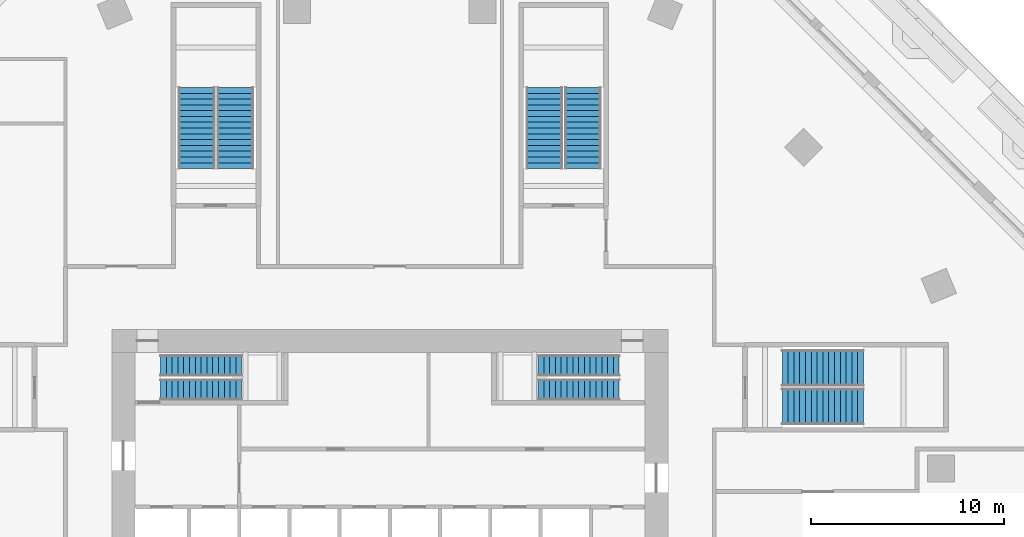
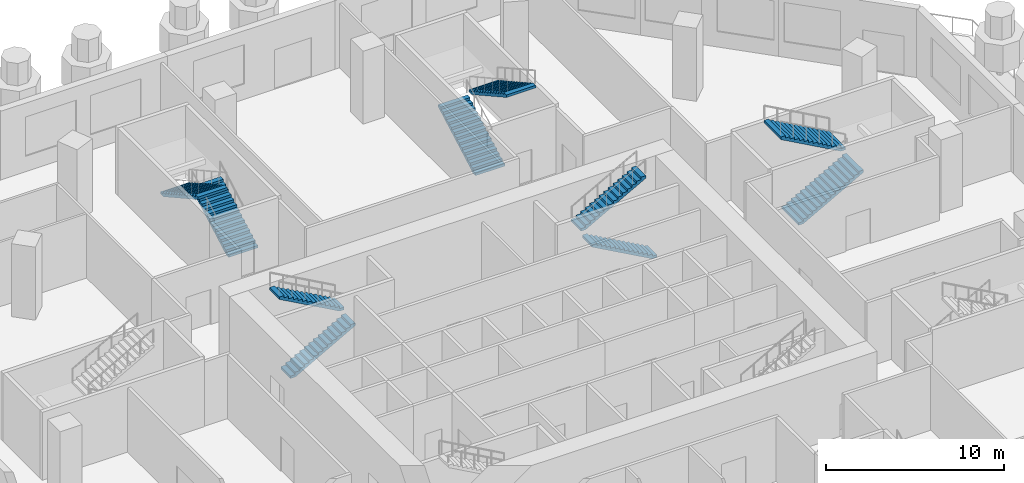
# One storey, part 10 of 13: 10 stair flights, 5 elements without a shape of their own.
"""IFC4 building model written with IfcOpenShell, lengths in metres."""

from ifc_helpers import new_model, si_unit, direction, frame, origin, place, context, subcontext, project, spatial, polyline, outline, extrude, material, type_object, element, aggregate, save


model = new_model("IFC4")

# Units and contexts
model_context = context("Model", 3, precision=1e-05, world=origin(), true_north=direction((0.0, 1.0)))
body_context = subcontext(model_context, "Body", "Model", "MODEL_VIEW")
ifc_project = project(units=[si_unit("LENGTHUNIT", "METRE"), si_unit("AREAUNIT", "SQUARE_METRE"), si_unit("VOLUMEUNIT", "CUBIC_METRE"), si_unit("PLANEANGLEUNIT", "RADIAN"), si_unit("MASSUNIT", "GRAM", prefix="KILO")], contexts=[model_context])

# Site, building, storey
site_placement = place(None, origin())
site = spatial("IfcSite", under=ifc_project, at=site_placement, CompositionType="ELEMENT")
building_placement = place(site_placement, origin())
building = spatial("IfcBuilding", under=site, at=building_placement, Name="Msitu Wima Residences", CompositionType="ELEMENT")
storey_placement = place(building_placement, frame((0.0, 0.0, 16.0)))
storey = spatial("IfcBuildingStorey", under=building, at=storey_placement, Name="L03", CompositionType="ELEMENT", Elevation=16.0)

# Stair, stair flights
ifc_material = material(Name="Concrete C40/50", Category="concrete")
stair_type_1 = type_object("IfcStairType", Name="Exit stair ES1667-110", PredefinedType="HALF_TURN_STAIR", material=ifc_material)
stair_1_placement = place(storey_placement, origin())
stair_1 = element("IfcStair", 1, at=stair_1_placement, inside=storey, type_object=stair_type_1, Name="Exit stair 1", PredefinedType="HALF_TURN_STAIR")
stair_flight_type_1 = type_object("IfcStairFlightType", Name="Exit stair flight ES1667-110", PredefinedType="STRAIGHT", material=ifc_material)
stair_flight_1_placement = place(storey_placement, frame((-11.875, 8.875, 0.0), z_axis=(0.0, 0.0, 1.0), x_axis=(1.0, 0.0, 0.0)))
stair_flight_1 = element("IfcStairFlight", 2, at=stair_flight_1_placement, type_object=stair_flight_type_1, Name="S1 flight 1", NumberOfRisers=15, NumberOfTreads=14, PredefinedType="STRAIGHT", RiserHeight=0.166666667, TreadLength=0.3, context=body_context, shape_type="SweptSolid", body=[
    extrude(outline(polyline([(0.0, 0.0), (0.0, 0.166748046875), (0.300048828125, 0.166748046875), (0.300048828125, 0.333251953125), (0.60009765625, 0.333251953125), (0.60009765625, 0.5), (0.89990234375, 0.5), (0.89990234375, 0.666748046875), (1.199951171875, 0.666748046875), (1.199951171875, 0.833251953125), (1.5, 0.833251953125), (1.5, 1.0), (1.800048828125, 1.0), (1.800048828125, 1.166748046875), (2.10009765625, 1.166748046875), (2.10009765625, 1.333251953125), (2.39990234375, 1.333251953125), (2.39990234375, 1.5), (2.699951171875, 1.5), (2.699951171875, 1.666748046875), (3.0, 1.666748046875), (3.0, 1.833251953125), (3.300048828125, 1.833251953125), (3.300048828125, 2.0), (3.60009765625, 2.0), (3.60009765625, 2.166748046875), (3.89990234375, 2.166748046875), (3.89990234375, 2.333251953125), (4.199951171875, 2.333251953125), (4.199951171875, 2.5), (4.199951171875, 2.161865234375), (0.30859375, 0.0), (0.0, 0.0)])), frame((0.0, 0.550048828125, 0.0), z_axis=(0.0, -1.0, 0.0), x_axis=(1.0, 0.0, 0.0)), (0.0, 0.0, 1.0), 1.10009765625),
])
stair_flight_2_placement = place(storey_placement, frame((-7.675048828125, 10.125, 2.5), z_axis=(0.0, 0.0, 1.0), x_axis=(-1.0, 0.0, 0.0)))
stair_flight_2 = element("IfcStairFlight", 3, at=stair_flight_2_placement, type_object=stair_flight_type_1, Name="S1 flight 2", NumberOfRisers=15, NumberOfTreads=14, PredefinedType="STRAIGHT", RiserHeight=0.166666667, TreadLength=0.3, context=body_context, shape_type="SweptSolid", body=[
    extrude(outline(polyline([(0.0, 0.0), (0.0, 0.166748046875), (0.300048828125, 0.166748046875), (0.300048828125, 0.333251953125), (0.60009765625, 0.333251953125), (0.60009765625, 0.5), (0.89990234375, 0.5), (0.89990234375, 0.666748046875), (1.199951171875, 0.666748046875), (1.199951171875, 0.833251953125), (1.5, 0.833251953125), (1.5, 1.0), (1.800048828125, 1.0), (1.800048828125, 1.166748046875), (2.10009765625, 1.166748046875), (2.10009765625, 1.333251953125), (2.39990234375, 1.333251953125), (2.39990234375, 1.5), (2.699951171875, 1.5), (2.699951171875, 1.666748046875), (3.0, 1.666748046875), (3.0, 1.833251953125), (3.300048828125, 1.833251953125), (3.300048828125, 2.0), (3.60009765625, 2.0), (3.60009765625, 2.166748046875), (3.89990234375, 2.166748046875), (3.89990234375, 2.333251953125), (4.199951171875, 2.333251953125), (4.199951171875, 2.5), (4.199951171875, 2.161865234375), (0.30859375, 0.0), (0.0, 0.0)])), frame((0.0, 0.550048828125, 0.0), z_axis=(0.0, -1.0, 0.0), x_axis=(1.0, 0.0, 0.0)), (0.0, 0.0, 1.0), 1.10009765625),
])
aggregate(stair_1, [stair_flight_1, stair_flight_2])

stair_2_placement = place(storey_placement, origin())
stair_2 = element("IfcStair", 4, at=stair_2_placement, inside=storey, type_object=stair_type_1, Name="Exit stair 3", PredefinedType="HALF_TURN_STAIR")
stair_flight_3_placement = place(storey_placement, frame((11.875, 8.875, 0.0), z_axis=(0.0, 0.0, 1.0), x_axis=(-1.0, 0.0, 0.0)))
stair_flight_3 = element("IfcStairFlight", 5, at=stair_flight_3_placement, type_object=stair_flight_type_1, Name="S3 flight 1", NumberOfRisers=15, NumberOfTreads=14, PredefinedType="STRAIGHT", RiserHeight=0.166666667, TreadLength=0.3, context=body_context, shape_type="SweptSolid", body=[
    extrude(outline(polyline([(0.0, 0.0), (0.0, 0.166748046875), (0.300048828125, 0.166748046875), (0.300048828125, 0.333251953125), (0.60009765625, 0.333251953125), (0.60009765625, 0.5), (0.89990234375, 0.5), (0.89990234375, 0.666748046875), (1.199951171875, 0.666748046875), (1.199951171875, 0.833251953125), (1.5, 0.833251953125), (1.5, 1.0), (1.800048828125, 1.0), (1.800048828125, 1.166748046875), (2.10009765625, 1.166748046875), (2.10009765625, 1.333251953125), (2.39990234375, 1.333251953125), (2.39990234375, 1.5), (2.699951171875, 1.5), (2.699951171875, 1.666748046875), (3.0, 1.666748046875), (3.0, 1.833251953125), (3.300048828125, 1.833251953125), (3.300048828125, 2.0), (3.60009765625, 2.0), (3.60009765625, 2.166748046875), (3.89990234375, 2.166748046875), (3.89990234375, 2.333251953125), (4.199951171875, 2.333251953125), (4.199951171875, 2.5), (4.199951171875, 2.161865234375), (0.30859375, 0.0), (0.0, 0.0)])), frame((0.0, 0.550048828125, 0.0), z_axis=(0.0, -1.0, 0.0), x_axis=(1.0, 0.0, 0.0)), (0.0, 0.0, 1.0), 1.10009765625),
])
stair_flight_4_placement = place(storey_placement, frame((7.675048828125, 10.125, 2.5), z_axis=(0.0, 0.0, 1.0), x_axis=(1.0, 0.0, 0.0)))
stair_flight_4 = element("IfcStairFlight", 6, at=stair_flight_4_placement, type_object=stair_flight_type_1, Name="S3 flight 2", NumberOfRisers=15, NumberOfTreads=14, PredefinedType="STRAIGHT", RiserHeight=0.166666667, TreadLength=0.3, context=body_context, shape_type="SweptSolid", body=[
    extrude(outline(polyline([(0.0, 0.0), (0.0, 0.166748046875), (0.300048828125, 0.166748046875), (0.300048828125, 0.333251953125), (0.60009765625, 0.333251953125), (0.60009765625, 0.5), (0.89990234375, 0.5), (0.89990234375, 0.666748046875), (1.199951171875, 0.666748046875), (1.199951171875, 0.833251953125), (1.5, 0.833251953125), (1.5, 1.0), (1.800048828125, 1.0), (1.800048828125, 1.166748046875), (2.10009765625, 1.166748046875), (2.10009765625, 1.333251953125), (2.39990234375, 1.333251953125), (2.39990234375, 1.5), (2.699951171875, 1.5), (2.699951171875, 1.666748046875), (3.0, 1.666748046875), (3.0, 1.833251953125), (3.300048828125, 1.833251953125), (3.300048828125, 2.0), (3.60009765625, 2.0), (3.60009765625, 2.166748046875), (3.89990234375, 2.166748046875), (3.89990234375, 2.333251953125), (4.199951171875, 2.333251953125), (4.199951171875, 2.5), (4.199951171875, 2.161865234375), (0.30859375, 0.0), (0.0, 0.0)])), frame((0.0, 0.550048828125, 0.0), z_axis=(0.0, -1.0, 0.0), x_axis=(1.0, 0.0, 0.0)), (0.0, 0.0, 1.0), 1.10009765625),
])
aggregate(stair_2, [stair_flight_3, stair_flight_4])

stair_type_2 = type_object("IfcStairType", Name="Podium exit stair PX1667-190", PredefinedType="HALF_TURN_STAIR", material=ifc_material)
stair_3_placement = place(storey_placement, origin())
stair_3 = element("IfcStair", 7, at=stair_3_placement, inside=storey, type_object=stair_type_2, Name="Podium exit stair 1", PredefinedType="HALF_TURN_STAIR")
stair_flight_type_2 = type_object("IfcStairFlightType", Name="Podium exit stair flight PX1667-190", PredefinedType="STRAIGHT", material=ifc_material)
stair_flight_5_placement = place(storey_placement, frame((20.324951171875, 8.0, 0.0), z_axis=(0.0, 0.0, 1.0), x_axis=(1.0, 0.0, 0.0)))
stair_flight_5 = element("IfcStairFlight", 8, at=stair_flight_5_placement, type_object=stair_flight_type_2, Name="PS1 flight 1", NumberOfRisers=15, NumberOfTreads=14, PredefinedType="STRAIGHT", RiserHeight=0.166666667, TreadLength=0.3, context=body_context, shape_type="SweptSolid", body=[
    extrude(outline(polyline([(0.0, 0.0), (0.0, 0.166748046875), (0.300048828125, 0.166748046875), (0.300048828125, 0.333251953125), (0.60009765625, 0.333251953125), (0.60009765625, 0.5), (0.89990234375, 0.5), (0.89990234375, 0.666748046875), (1.199951171875, 0.666748046875), (1.199951171875, 0.833251953125), (1.5, 0.833251953125), (1.5, 1.0), (1.800048828125, 1.0), (1.800048828125, 1.166748046875), (2.10009765625, 1.166748046875), (2.10009765625, 1.333251953125), (2.39990234375, 1.333251953125), (2.39990234375, 1.5), (2.699951171875, 1.5), (2.699951171875, 1.666748046875), (3.0, 1.666748046875), (3.0, 1.833251953125), (3.300048828125, 1.833251953125), (3.300048828125, 2.0), (3.60009765625, 2.0), (3.60009765625, 2.166748046875), (3.89990234375, 2.166748046875), (3.89990234375, 2.333251953125), (4.199951171875, 2.333251953125), (4.199951171875, 2.5), (4.199951171875, 2.161865234375), (0.30859375, 0.0), (0.0, 0.0)])), frame((0.0, 0.949951171875, 0.0), z_axis=(0.0, -1.0, 0.0), x_axis=(1.0, 0.0, 0.0)), (0.0, 0.0, 1.0), 1.89990234375),
])
stair_flight_6_placement = place(storey_placement, frame((24.52490234375, 10.0, 2.5), z_axis=(0.0, 0.0, 1.0), x_axis=(-1.0, 0.0, 0.0)))
stair_flight_6 = element("IfcStairFlight", 9, at=stair_flight_6_placement, type_object=stair_flight_type_2, Name="PS1 flight 2", NumberOfRisers=15, NumberOfTreads=14, PredefinedType="STRAIGHT", RiserHeight=0.166666667, TreadLength=0.3, context=body_context, shape_type="SweptSolid", body=[
    extrude(outline(polyline([(0.0, 0.0), (0.0, 0.166748046875), (0.300048828125, 0.166748046875), (0.300048828125, 0.333251953125), (0.60009765625, 0.333251953125), (0.60009765625, 0.5), (0.89990234375, 0.5), (0.89990234375, 0.666748046875), (1.199951171875, 0.666748046875), (1.199951171875, 0.833251953125), (1.5, 0.833251953125), (1.5, 1.0), (1.800048828125, 1.0), (1.800048828125, 1.166748046875), (2.10009765625, 1.166748046875), (2.10009765625, 1.333251953125), (2.39990234375, 1.333251953125), (2.39990234375, 1.5), (2.699951171875, 1.5), (2.699951171875, 1.666748046875), (3.0, 1.666748046875), (3.0, 1.833251953125), (3.300048828125, 1.833251953125), (3.300048828125, 2.0), (3.60009765625, 2.0), (3.60009765625, 2.166748046875), (3.89990234375, 2.166748046875), (3.89990234375, 2.333251953125), (4.199951171875, 2.333251953125), (4.199951171875, 2.5), (4.199951171875, 2.161865234375), (0.30859375, 0.0), (0.0, 0.0)])), frame((0.0, 0.949951171875, 0.0), z_axis=(0.0, -1.0, 0.0), x_axis=(1.0, 0.0, 0.0)), (0.0, 0.0, 1.0), 1.89990234375),
])
aggregate(stair_3, [stair_flight_5, stair_flight_6])

stair_4_placement = place(storey_placement, origin())
stair_4 = element("IfcStair", 10, at=stair_4_placement, inside=storey, type_object=stair_type_2, Name="Podium exit stair 3", PredefinedType="HALF_TURN_STAIR")
stair_flight_7_placement = place(storey_placement, frame((-8.0, 20.324951171875, 0.0), z_axis=(0.0, 0.0, 1.0), x_axis=(0.0, 1.0, 0.0)))
stair_flight_7 = element("IfcStairFlight", 11, at=stair_flight_7_placement, type_object=stair_flight_type_2, Name="PS3 flight 1", NumberOfRisers=15, NumberOfTreads=14, PredefinedType="STRAIGHT", RiserHeight=0.166666667, TreadLength=0.3, context=body_context, shape_type="SweptSolid", body=[
    extrude(outline(polyline([(0.0, 0.0), (0.0, 0.166748046875), (0.300048828125, 0.166748046875), (0.300048828125, 0.333251953125), (0.60009765625, 0.333251953125), (0.60009765625, 0.5), (0.89990234375, 0.5), (0.89990234375, 0.666748046875), (1.199951171875, 0.666748046875), (1.199951171875, 0.833251953125), (1.5, 0.833251953125), (1.5, 1.0), (1.800048828125, 1.0), (1.800048828125, 1.166748046875), (2.10009765625, 1.166748046875), (2.10009765625, 1.333251953125), (2.39990234375, 1.333251953125), (2.39990234375, 1.5), (2.699951171875, 1.5), (2.699951171875, 1.666748046875), (3.0, 1.666748046875), (3.0, 1.833251953125), (3.300048828125, 1.833251953125), (3.300048828125, 2.0), (3.60009765625, 2.0), (3.60009765625, 2.166748046875), (3.89990234375, 2.166748046875), (3.89990234375, 2.333251953125), (4.199951171875, 2.333251953125), (4.199951171875, 2.5), (4.199951171875, 2.161865234375), (0.30859375, 0.0), (0.0, 0.0)])), frame((0.0, 0.949951171875, 0.0), z_axis=(0.0, -1.0, 0.0), x_axis=(1.0, 0.0, 0.0)), (0.0, 0.0, 1.0), 1.89990234375),
])
stair_flight_8_placement = place(storey_placement, frame((-10.0, 24.52490234375, 2.5), z_axis=(0.0, 0.0, 1.0), x_axis=(0.0, -1.0, 0.0)))
stair_flight_8 = element("IfcStairFlight", 12, at=stair_flight_8_placement, type_object=stair_flight_type_2, Name="PS3 flight 2", NumberOfRisers=15, NumberOfTreads=14, PredefinedType="STRAIGHT", RiserHeight=0.166666667, TreadLength=0.3, context=body_context, shape_type="SweptSolid", body=[
    extrude(outline(polyline([(0.0, 0.0), (0.0, 0.166748046875), (0.300048828125, 0.166748046875), (0.300048828125, 0.333251953125), (0.60009765625, 0.333251953125), (0.60009765625, 0.5), (0.89990234375, 0.5), (0.89990234375, 0.666748046875), (1.199951171875, 0.666748046875), (1.199951171875, 0.833251953125), (1.5, 0.833251953125), (1.5, 1.0), (1.800048828125, 1.0), (1.800048828125, 1.166748046875), (2.10009765625, 1.166748046875), (2.10009765625, 1.333251953125), (2.39990234375, 1.333251953125), (2.39990234375, 1.5), (2.699951171875, 1.5), (2.699951171875, 1.666748046875), (3.0, 1.666748046875), (3.0, 1.833251953125), (3.300048828125, 1.833251953125), (3.300048828125, 2.0), (3.60009765625, 2.0), (3.60009765625, 2.166748046875), (3.89990234375, 2.166748046875), (3.89990234375, 2.333251953125), (4.199951171875, 2.333251953125), (4.199951171875, 2.5), (4.199951171875, 2.161865234375), (0.30859375, 0.0), (0.0, 0.0)])), frame((0.0, 0.949951171875, 0.0), z_axis=(0.0, -1.0, 0.0), x_axis=(1.0, 0.0, 0.0)), (0.0, 0.0, 1.0), 1.89990234375),
])
aggregate(stair_4, [stair_flight_7, stair_flight_8])

stair_5_placement = place(storey_placement, origin())
stair_5 = element("IfcStair", 13, at=stair_5_placement, inside=storey, type_object=stair_type_2, Name="Podium exit stair 4", PredefinedType="HALF_TURN_STAIR")
stair_flight_9_placement = place(storey_placement, frame((8.0, 20.324951171875, 0.0), z_axis=(0.0, 0.0, 1.0), x_axis=(0.0, 1.0, 0.0)))
stair_flight_9 = element("IfcStairFlight", 14, at=stair_flight_9_placement, type_object=stair_flight_type_2, Name="PS4 flight 1", NumberOfRisers=15, NumberOfTreads=14, PredefinedType="STRAIGHT", RiserHeight=0.166666667, TreadLength=0.3, context=body_context, shape_type="SweptSolid", body=[
    extrude(outline(polyline([(0.0, 0.0), (0.0, 0.166748046875), (0.300048828125, 0.166748046875), (0.300048828125, 0.333251953125), (0.60009765625, 0.333251953125), (0.60009765625, 0.5), (0.89990234375, 0.5), (0.89990234375, 0.666748046875), (1.199951171875, 0.666748046875), (1.199951171875, 0.833251953125), (1.5, 0.833251953125), (1.5, 1.0), (1.800048828125, 1.0), (1.800048828125, 1.166748046875), (2.10009765625, 1.166748046875), (2.10009765625, 1.333251953125), (2.39990234375, 1.333251953125), (2.39990234375, 1.5), (2.699951171875, 1.5), (2.699951171875, 1.666748046875), (3.0, 1.666748046875), (3.0, 1.833251953125), (3.300048828125, 1.833251953125), (3.300048828125, 2.0), (3.60009765625, 2.0), (3.60009765625, 2.166748046875), (3.89990234375, 2.166748046875), (3.89990234375, 2.333251953125), (4.199951171875, 2.333251953125), (4.199951171875, 2.5), (4.199951171875, 2.161865234375), (0.30859375, 0.0), (0.0, 0.0)])), frame((0.0, 0.949951171875, 0.0), z_axis=(0.0, -1.0, 0.0), x_axis=(1.0, 0.0, 0.0)), (0.0, 0.0, 1.0), 1.89990234375),
])
stair_flight_10_placement = place(storey_placement, frame((10.0, 24.52490234375, 2.5), z_axis=(0.0, 0.0, 1.0), x_axis=(0.0, -1.0, 0.0)))
stair_flight_10 = element("IfcStairFlight", 15, at=stair_flight_10_placement, type_object=stair_flight_type_2, Name="PS4 flight 2", NumberOfRisers=15, NumberOfTreads=14, PredefinedType="STRAIGHT", RiserHeight=0.166666667, TreadLength=0.3, context=body_context, shape_type="SweptSolid", body=[
    extrude(outline(polyline([(0.0, 0.0), (0.0, 0.166748046875), (0.300048828125, 0.166748046875), (0.300048828125, 0.333251953125), (0.60009765625, 0.333251953125), (0.60009765625, 0.5), (0.89990234375, 0.5), (0.89990234375, 0.666748046875), (1.199951171875, 0.666748046875), (1.199951171875, 0.833251953125), (1.5, 0.833251953125), (1.5, 1.0), (1.800048828125, 1.0), (1.800048828125, 1.166748046875), (2.10009765625, 1.166748046875), (2.10009765625, 1.333251953125), (2.39990234375, 1.333251953125), (2.39990234375, 1.5), (2.699951171875, 1.5), (2.699951171875, 1.666748046875), (3.0, 1.666748046875), (3.0, 1.833251953125), (3.300048828125, 1.833251953125), (3.300048828125, 2.0), (3.60009765625, 2.0), (3.60009765625, 2.166748046875), (3.89990234375, 2.166748046875), (3.89990234375, 2.333251953125), (4.199951171875, 2.333251953125), (4.199951171875, 2.5), (4.199951171875, 2.161865234375), (0.30859375, 0.0), (0.0, 0.0)])), frame((0.0, 0.949951171875, 0.0), z_axis=(0.0, -1.0, 0.0), x_axis=(1.0, 0.0, 0.0)), (0.0, 0.0, 1.0), 1.89990234375),
])
aggregate(stair_5, [stair_flight_9, stair_flight_10])

save(model, "model.ifc")
